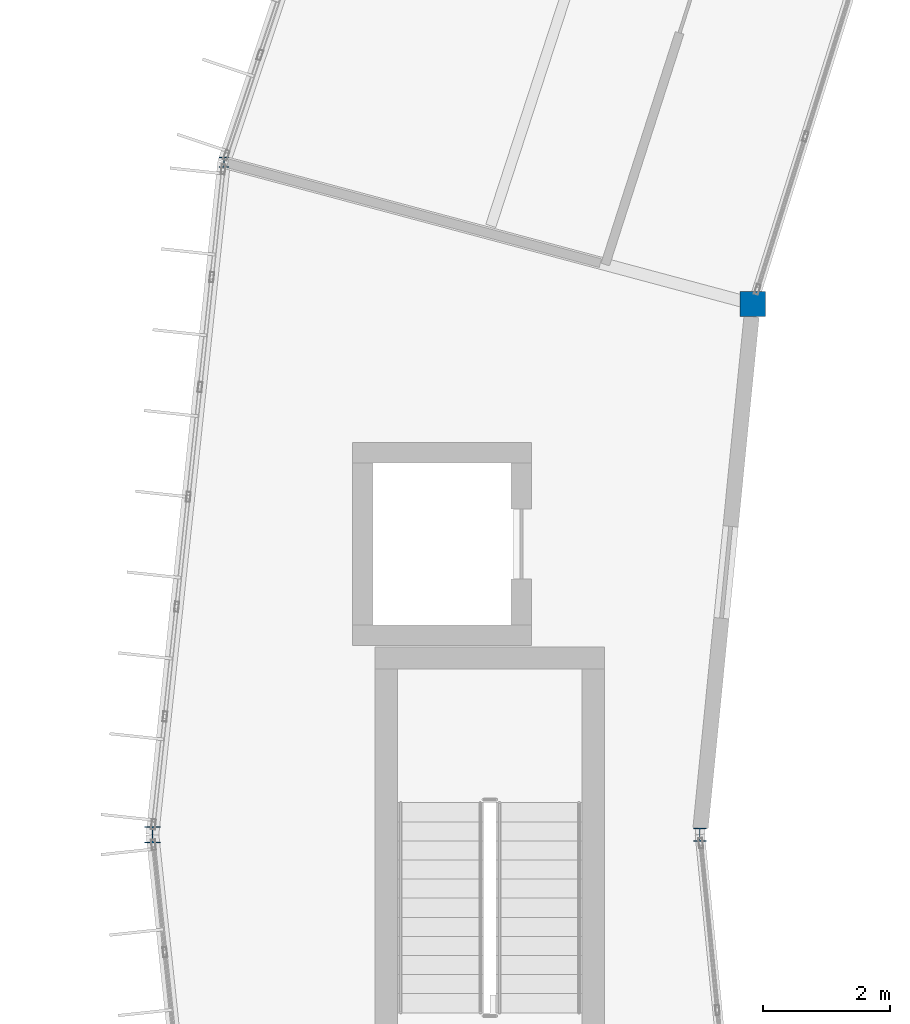
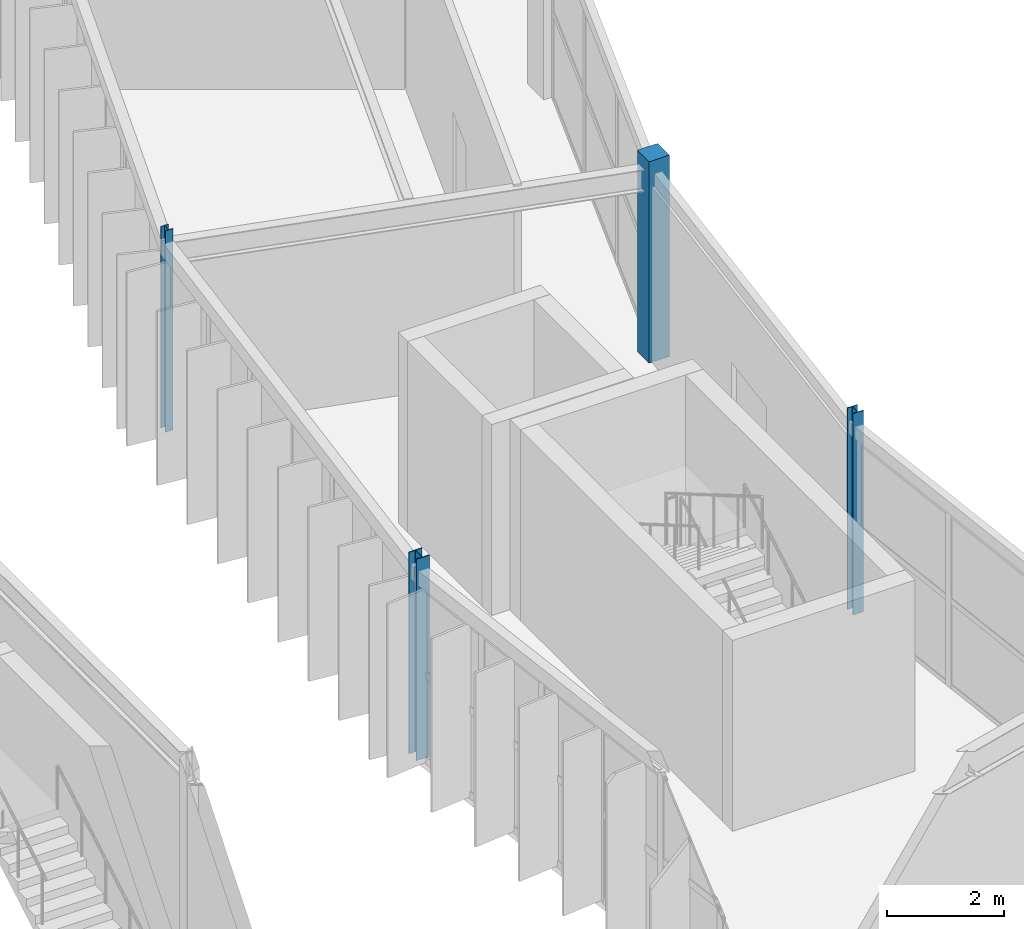
# One storey, part 7 of 157: 4 columns.
"""IFC4 building model written with IfcOpenShell, lengths in metres."""

from ifc_helpers import new_model, si_unit, direction, frame, origin, origin_2d, place, context, subcontext, project, spatial, rectangle, i_section, extrude, material, material_profile, profile_set, type_object, element, save


model = new_model("IFC4")

# Units and contexts
model_context = context("Model", 3, precision=1e-05, world=origin(), true_north=direction((0.0, 1.0)))
body_context = subcontext(model_context, "Body", "Model", "MODEL_VIEW")
ifc_project = project(units=[si_unit("LENGTHUNIT", "METRE"), si_unit("AREAUNIT", "SQUARE_METRE"), si_unit("VOLUMEUNIT", "CUBIC_METRE"), si_unit("PLANEANGLEUNIT", "RADIAN"), si_unit("MASSUNIT", "GRAM", prefix="KILO")], contexts=[model_context])

# Site, building, storey
site_placement = place(None, origin())
site = spatial("IfcSite", under=ifc_project, at=site_placement, CompositionType="ELEMENT")
building_placement = place(site_placement, origin())
building = spatial("IfcBuilding", under=site, at=building_placement, Name="Karori Crest Natural Sciences Institute", CompositionType="ELEMENT")
storey_placement = place(building_placement, frame((0.0, 0.0, 13.300048828125)))
storey = spatial("IfcBuildingStorey", under=building, at=storey_placement, Name="L03", CompositionType="ELEMENT", Elevation=13.300048828125)

# Columns
ifc_material_1 = material(Name="Structural steel AS/NZS 3679.1 Grade 350", Category="steel")
ifc_material_profile_1 = material_profile(ifc_material_1, i_section(OverallWidth=0.256103515625, OverallDepth=0.260009765625, WebThickness=0.010498046875, FlangeThickness=0.017333984375, FilletRadius=0.013916015625, at=origin_2d()), Name="250UC89.5")
ifc_profile_set_1 = profile_set([ifc_material_profile_1], Name="Structural steel AS/NZS 3679.1 Grade 350")
column_type_1 = type_object("IfcColumnType", Name="CT-06", PredefinedType="COLUMN", material=ifc_profile_set_1)
column_1_placement = place(storey_placement, frame((33.39990234375, 49.89990234375, 0.0), z_axis=(0.0, 0.0, 1.0), x_axis=(1.0, 0.0, 0.0)))
element("IfcColumn", 1, at=column_1_placement, inside=storey, type_object=column_type_1, Name="Column C-0213", PredefinedType="COLUMN", context=body_context, shape_type="SweptSolid", body=[
    extrude(i_section(OverallWidth=0.256103515625, OverallDepth=0.260009765625, WebThickness=0.010498046875, FlangeThickness=0.017333984375, FilletRadius=0.013916015625, at=origin_2d()), origin(), (0.0, 0.0, 1.0), 4.199951171875),
])
ifc_material_profile_2 = material_profile(ifc_material_1, i_section(OverallWidth=0.205078125, OverallDepth=0.2099609375, WebThickness=0.00927734375, FlangeThickness=0.01416015625, FilletRadius=0.010986328125, at=origin_2d()), Name="200UC59.5")
ifc_profile_set_2 = profile_set([ifc_material_profile_2], Name="Structural steel AS/NZS 3679.1 Grade 350")
column_type_2 = type_object("IfcColumnType", Name="CT-08", PredefinedType="COLUMN", material=ifc_profile_set_2)
column_2_placement = place(storey_placement, frame((42.0, 49.89990234375, 0.0), z_axis=(0.0, 0.0, 1.0), x_axis=(1.0, 0.0, 0.0)))
element("IfcColumn", 2, at=column_2_placement, inside=storey, type_object=column_type_2, Name="Column C-0214", PredefinedType="COLUMN", context=body_context, shape_type="SweptSolid", body=[
    extrude(i_section(OverallWidth=0.205078125, OverallDepth=0.2099609375, WebThickness=0.00927734375, FlangeThickness=0.01416015625, FilletRadius=0.010986328125, at=origin_2d()), origin(), (0.0, 0.0, 1.0), 4.199951171875),
])
ifc_material_profile_3 = material_profile(ifc_material_1, i_section(OverallWidth=0.154052734375, OverallDepth=0.162109375, WebThickness=0.008056640625, FlangeThickness=0.011474609375, FilletRadius=0.009033203125, at=origin_2d()), Name="150UC37.2")
ifc_profile_set_3 = profile_set([ifc_material_profile_3], Name="Structural steel AS/NZS 3679.1 Grade 350")
column_type_3 = type_object("IfcColumnType", Name="CT-26", PredefinedType="COLUMN", material=ifc_profile_set_3)
column_3_placement = place(storey_placement, frame((34.5244140625, 60.459716796875, 0.0), z_axis=(0.0, 0.0, 1.0), x_axis=(1.0, 0.0, 0.0)))
element("IfcColumn", 3, at=column_3_placement, inside=storey, type_object=column_type_3, Name="Column C-0197", PredefinedType="COLUMN", context=body_context, shape_type="SweptSolid", body=[
    extrude(i_section(OverallWidth=0.154052734375, OverallDepth=0.162109375, WebThickness=0.008056640625, FlangeThickness=0.011474609375, FilletRadius=0.009033203125, at=origin_2d()), origin(), (0.0, 0.0, 1.0), 4.199951171875),
])
ifc_material_2 = material(Name="Concrete 50 MPa", Category="concrete")
ifc_material_profile_4 = material_profile(ifc_material_2, rectangle(XDim=0.39990234375, YDim=0.39990234375, at=origin_2d()), Name="RC400x400")
ifc_profile_set_4 = profile_set([ifc_material_profile_4], Name="Concrete 50 MPa")
column_type_4 = type_object("IfcColumnType", Name="CT-31", PredefinedType="PILASTER", material=ifc_profile_set_4)
column_4_placement = place(storey_placement, frame((42.831298828125, 58.23388671875, 0.0), z_axis=(0.0, 0.0, 1.0), x_axis=(1.0, 0.0, 0.0)))
element("IfcColumn", 4, at=column_4_placement, inside=storey, type_object=column_type_4, Name="Column C-0198", PredefinedType="PILASTER", context=body_context, shape_type="SweptSolid", body=[
    extrude(rectangle(XDim=0.39990234375, YDim=0.39990234375, at=origin_2d()), origin(), (0.0, 0.0, 1.0), 4.199951171875),
])

save(model, "model.ifc")
